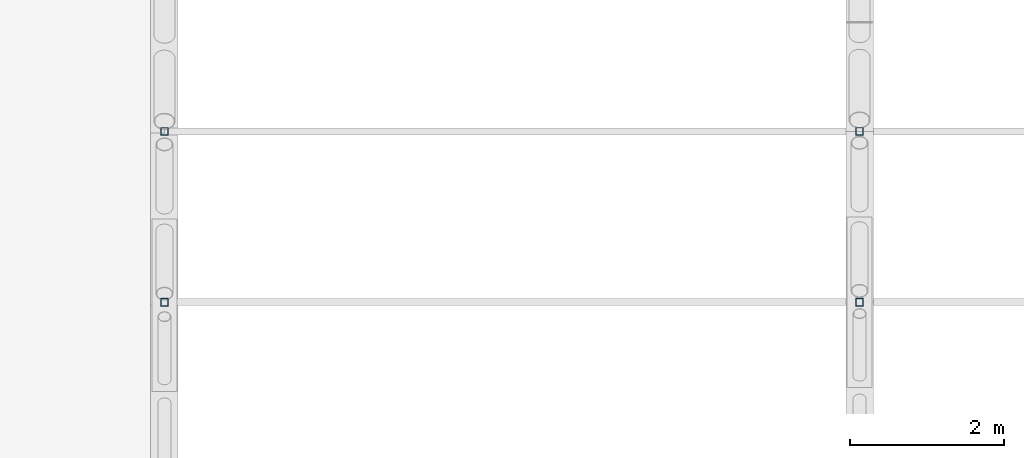
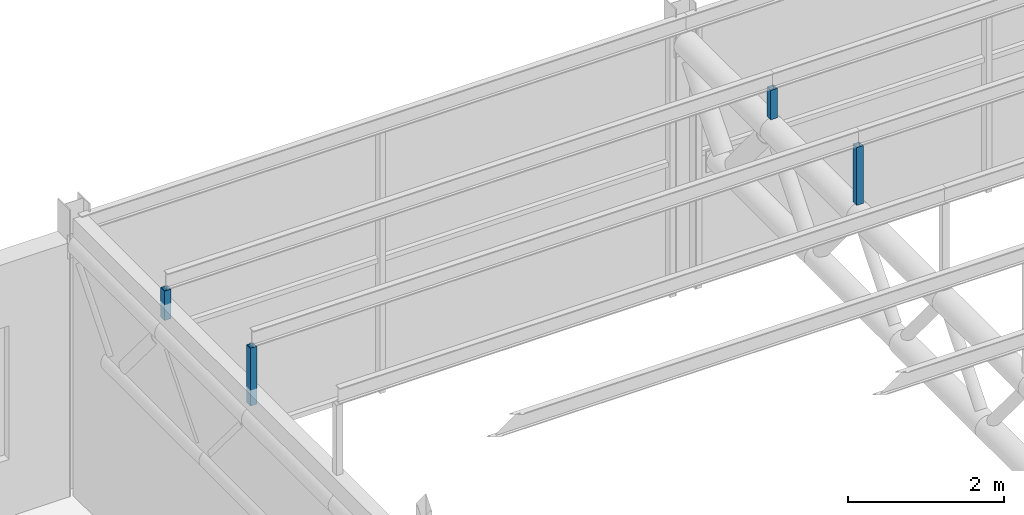
# One storey, part 89 of 138: 4 members.
"""IFC4 building model written with IfcOpenShell, lengths in metres."""

from ifc_helpers import new_model, si_unit, direction, frame, origin, origin_2d, place, context, subcontext, project, spatial, hollow_rectangle, extrude, material, material_profile, profile_set, type_object, element, save


model = new_model("IFC4")

# Units and contexts
model_context = context("Model", 3, precision=1e-05, world=origin(), true_north=direction((0.0, 1.0)))
body_context = subcontext(model_context, "Body", "Model", "MODEL_VIEW")
ifc_project = project(units=[si_unit("LENGTHUNIT", "METRE"), si_unit("AREAUNIT", "SQUARE_METRE"), si_unit("VOLUMEUNIT", "CUBIC_METRE"), si_unit("PLANEANGLEUNIT", "RADIAN"), si_unit("MASSUNIT", "GRAM", prefix="KILO")], contexts=[model_context])

# Site, building, storey
site_placement = place(None, origin())
site = spatial("IfcSite", under=ifc_project, at=site_placement, CompositionType="ELEMENT")
building_placement = place(site_placement, origin())
building = spatial("IfcBuilding", under=site, at=building_placement, Name="Corbel Yard City Hall", CompositionType="ELEMENT")
storey_placement = place(building_placement, frame((0.0, 0.0, 10.5)))
storey = spatial("IfcBuildingStorey", under=building, at=storey_placement, Name="L02", CompositionType="ELEMENT", Elevation=10.5)

# Members
ifc_material = material(Name="Steel Grade C450L0", Category="steel")
ifc_material_profile = material_profile(ifc_material, hollow_rectangle(XDim=0.10009765625, YDim=0.10009765625, WallThickness=0.006103515625, at=origin_2d()), Name="100x100x6.0SHS")
ifc_profile_set = profile_set([ifc_material_profile], Name="Steel Grade C450L0")
member_type = type_object("IfcMemberType", Name="Roof post 100x100x6.0SHS", PredefinedType="POST", material=ifc_profile_set)
member_1_placement = place(storey_placement, frame((18.0, 22.423828125, 4.10009765625), z_axis=(0.0, 0.0, 1.0), x_axis=(1.0, 0.0, 0.0)))
element("IfcMember", 1, at=member_1_placement, inside=storey, type_object=member_type, Name="Roof post 100x100x6.0SHS RP3", PredefinedType="POST", context=body_context, shape_type="SweptSolid", body=[
    extrude(hollow_rectangle(XDim=0.10009765625, YDim=0.10009765625, WallThickness=0.006103515625, at=origin_2d()), origin(), (0.0, 0.0, 1.0), 0.90625),
])
member_2_placement = place(storey_placement, frame((18.0, 24.6357421875, 4.10009765625), z_axis=(0.0, 0.0, 1.0), x_axis=(1.0, 0.0, 0.0)))
element("IfcMember", 2, at=member_2_placement, inside=storey, type_object=member_type, Name="Roof post 100x100x6.0SHS RP3", PredefinedType="POST", context=body_context, shape_type="SweptSolid", body=[
    extrude(hollow_rectangle(XDim=0.10009765625, YDim=0.10009765625, WallThickness=0.006103515625, at=origin_2d()), origin(), (0.0, 0.0, 1.0), 0.4638671875),
])
member_3_placement = place(storey_placement, frame((27.0, 22.423828125, 4.10009765625), z_axis=(0.0, 0.0, 1.0), x_axis=(1.0, 0.0, 0.0)))
element("IfcMember", 3, at=member_3_placement, inside=storey, type_object=member_type, Name="Roof post 100x100x6.0SHS RP3", PredefinedType="POST", context=body_context, shape_type="SweptSolid", body=[
    extrude(hollow_rectangle(XDim=0.10009765625, YDim=0.10009765625, WallThickness=0.006103515625, at=origin_2d()), origin(), (0.0, 0.0, 1.0), 0.90625),
])
member_4_placement = place(storey_placement, frame((27.0, 24.6357421875, 4.10009765625), z_axis=(0.0, 0.0, 1.0), x_axis=(1.0, 0.0, 0.0)))
element("IfcMember", 4, at=member_4_placement, inside=storey, type_object=member_type, Name="Roof post 100x100x6.0SHS RP3", PredefinedType="POST", context=body_context, shape_type="SweptSolid", body=[
    extrude(hollow_rectangle(XDim=0.10009765625, YDim=0.10009765625, WallThickness=0.006103515625, at=origin_2d()), origin(), (0.0, 0.0, 1.0), 0.4638671875),
])

save(model, "model.ifc")
